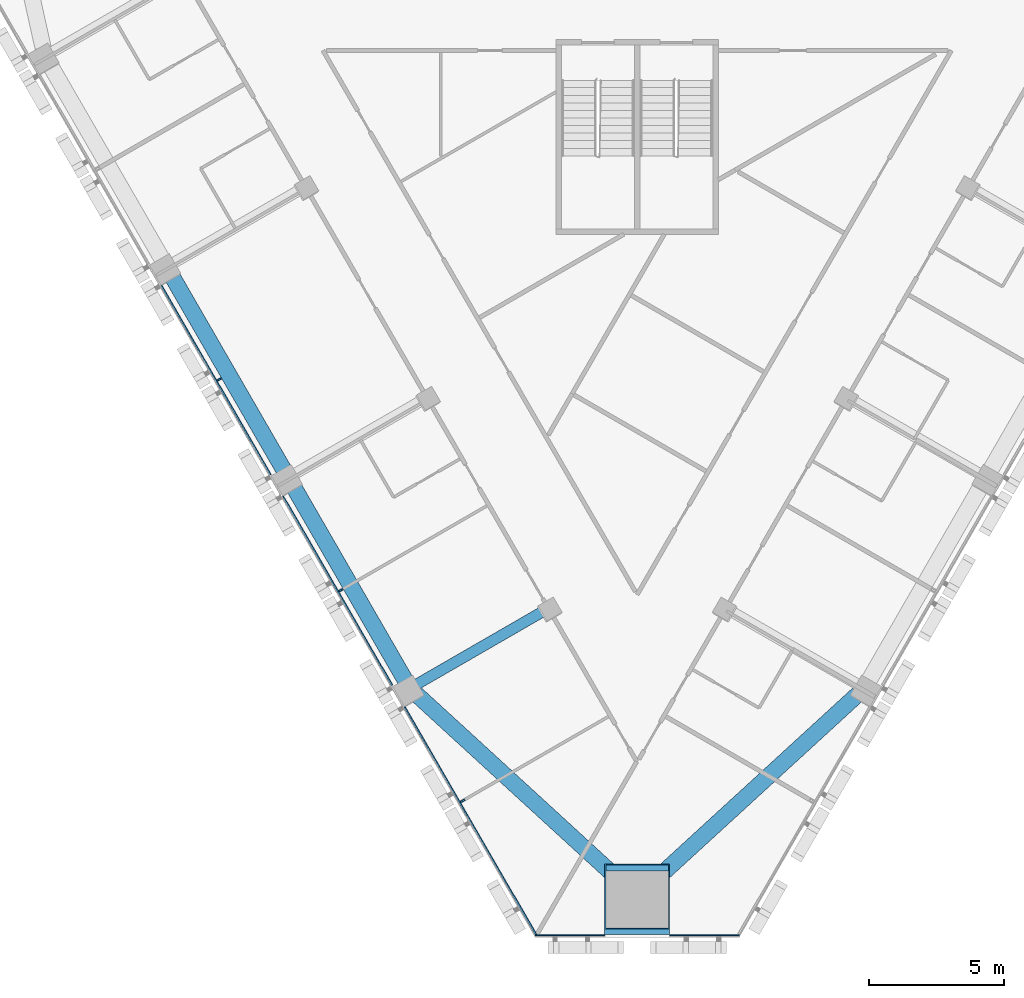
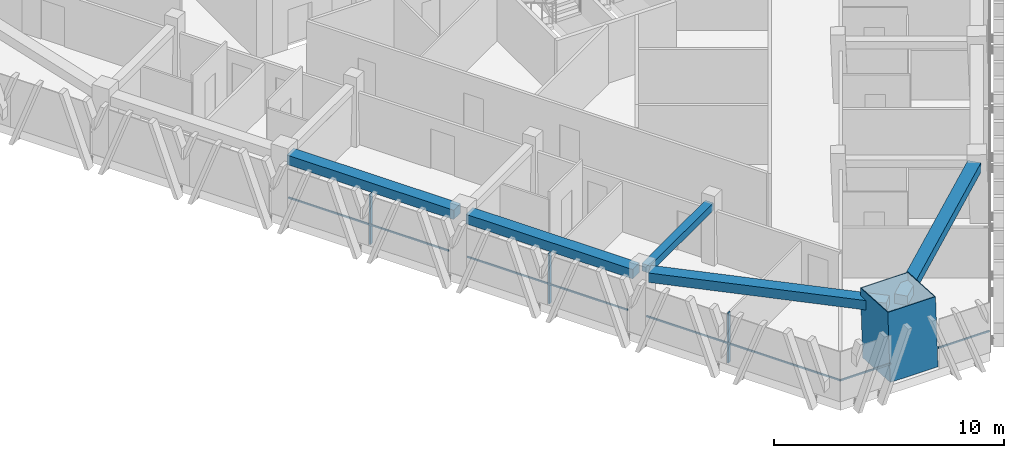
# One storey, part 2 of 15: 9 members, 5 beams, 2 elements without a shape of their own.
"""IFC4 building model written with IfcOpenShell, lengths in metres."""

from ifc_helpers import new_model, si_unit, direction, frame, origin, origin_2d, place, context, subcontext, project, spatial, rectangle, hollow_rectangle, extrude, material, layer, layer_set, material_profile, profile_set, type_object, element, aggregate, save


model = new_model("IFC4")

# Units and contexts
model_context = context("Model", 3, precision=1e-05, world=origin(), true_north=direction((0.0, 1.0)))
body_context = subcontext(model_context, "Body", "Model", "MODEL_VIEW")
ifc_project = project(units=[si_unit("LENGTHUNIT", "METRE"), si_unit("AREAUNIT", "SQUARE_METRE"), si_unit("VOLUMEUNIT", "CUBIC_METRE"), si_unit("PLANEANGLEUNIT", "RADIAN"), si_unit("MASSUNIT", "GRAM", prefix="KILO")], contexts=[model_context])

# Site, building, storey
site_placement = place(None, origin())
site = spatial("IfcSite", under=ifc_project, at=site_placement, CompositionType="ELEMENT")
building_placement = place(site_placement, origin())
building = spatial("IfcBuilding", under=site, at=building_placement, Name="Altiplano Prism Tower", CompositionType="ELEMENT")
storey_placement = place(building_placement, frame((0.0, 0.0, 142.199951171875)))
storey = spatial("IfcBuildingStorey", under=building, at=storey_placement, Name="L36", CompositionType="ELEMENT", Elevation=142.199951171875)

# Curtain wall, members
ifc_material_1 = material(Name="Aluminium and glass", Category="aluminium")
ifc_layer = layer(ifc_material_1, 0.280029296875)
ifc_layer_set = layer_set([ifc_layer], Name="Aluminium and glass")
curtain_wall_type = type_object("IfcCurtainWallType", Name="CW1 typical co-living unitised curtain wall", PredefinedType="NOTDEFINED", material=ifc_layer_set)
curtain_wall_1_placement = place(storey_placement, origin())
curtain_wall_1 = element("IfcCurtainWall", 1, at=curtain_wall_1_placement, inside=storey, type_object=curtain_wall_type, Name="CW1 curtain wall south-west face L36", PredefinedType="NOTDEFINED")
ifc_material_2 = material(Name="Aluminium", Category="aluminium")
ifc_material_profile_1 = material_profile(ifc_material_2, rectangle(XDim=0.179931640625, YDim=0.06494140625, at=origin_2d()), Name="CW1 mullion 65 x 180")
ifc_profile_set_1 = profile_set([ifc_material_profile_1], Name="Aluminium")
member_type_1 = type_object("IfcMemberType", Name="CW1 mullion 65 x 180", PredefinedType="MULLION", material=ifc_profile_set_1)
member_1_placement = place(storey_placement, frame((69.53759765625, 78.028564453125, 0.0), z_axis=(0.0, 0.0, 1.0), x_axis=(0.866025403278, 0.500000000877, 0.0)))
member_1 = element("IfcMember", 2, at=member_1_placement, type_object=member_type_1, Name="CW1 mullion", PredefinedType="MULLION", context=body_context, shape_type="SweptSolid", body=[
    extrude(rectangle(XDim=0.179931640625, YDim=0.06494140625, at=origin_2d()), origin(), (0.0, 0.0, 1.0), 2.650146484375),
])
member_2_placement = place(storey_placement, frame((74.03759765625, 70.234130859375, 0.0), z_axis=(0.0, 0.0, 1.0), x_axis=(0.866025403278, 0.500000000877, 0.0)))
member_2 = element("IfcMember", 3, at=member_2_placement, type_object=member_type_1, Name="CW1 mullion", PredefinedType="MULLION", context=body_context, shape_type="SweptSolid", body=[
    extrude(rectangle(XDim=0.179931640625, YDim=0.06494140625, at=origin_2d()), origin(), (0.0, 0.0, 1.0), 2.650146484375),
])
member_3_placement = place(storey_placement, frame((78.53759765625, 62.43994140625, 0.0), z_axis=(0.0, 0.0, 1.0), x_axis=(0.866025403278, 0.500000000877, 0.0)))
member_3 = element("IfcMember", 4, at=member_3_placement, type_object=member_type_1, Name="CW1 mullion", PredefinedType="MULLION", context=body_context, shape_type="SweptSolid", body=[
    extrude(rectangle(XDim=0.179931640625, YDim=0.06494140625, at=origin_2d()), origin(), (0.0, 0.0, 1.0), 2.650146484375),
])
ifc_material_profile_2 = material_profile(ifc_material_2, rectangle(XDim=0.06005859375, YDim=0.080078125, at=origin_2d()), Name="CW1 transom 80 x 60")
ifc_profile_set_2 = profile_set([ifc_material_profile_2], Name="Aluminium")
member_type_2 = type_object("IfcMemberType", Name="CW1 transom 80 x 60", PredefinedType="USERDEFINED", material=ifc_profile_set_2)
member_4_placement = place(storey_placement, frame((67.396484375, 81.4970703125, 1.10009765625), z_axis=(0.499994808408, -0.866028401131, 0.0), x_axis=(0.866028401131, 0.499994808408, 0.0)))
member_4 = element("IfcMember", 5, at=member_4_placement, type_object=member_type_2, Name="CW1 transom", ObjectType="TRANSOM", PredefinedType="USERDEFINED", context=body_context, shape_type="SweptSolid", body=[
    extrude(rectangle(XDim=0.06005859375, YDim=0.080078125, at=origin_2d()), origin(), (0.0, 0.0, 1.0), 8.06982421875),
])
member_5_placement = place(storey_placement, frame((71.896484375, 73.70263671875, 1.10009765625), z_axis=(0.500007908628, -0.866020837688, 0.0), x_axis=(0.866020837688, 0.500007908628, 0.0)))
member_5 = element("IfcMember", 6, at=member_5_placement, type_object=member_type_2, Name="CW1 transom", ObjectType="TRANSOM", PredefinedType="USERDEFINED", context=body_context, shape_type="SweptSolid", body=[
    extrude(rectangle(XDim=0.06005859375, YDim=0.080078125, at=origin_2d()), origin(), (0.0, 0.0, 1.0), 8.069580078125),
])
member_6_placement = place(storey_placement, frame((76.396484375, 65.908447265625, 1.10009765625), z_axis=(0.500019594979, -0.866014090322, 0.0), x_axis=(0.866014090322, 0.500019594979, 0.0)))
member_6 = element("IfcMember", 7, at=member_6_placement, type_object=member_type_2, Name="CW1 transom", ObjectType="TRANSOM", PredefinedType="USERDEFINED", context=body_context, shape_type="SweptSolid", body=[
    extrude(rectangle(XDim=0.06005859375, YDim=0.080078125, at=origin_2d()), origin(), (0.0, 0.0, 1.0), 9.791015625),
])
aggregate(curtain_wall_1, [member_1, member_4, member_2, member_5, member_3, member_6])

curtain_wall_2_placement = place(storey_placement, origin())
curtain_wall_2 = element("IfcCurtainWall", 8, at=curtain_wall_2_placement, inside=storey, type_object=curtain_wall_type, Name="CW1 curtain wall south chamfer L36", PredefinedType="NOTDEFINED")
member_7_placement = place(storey_placement, frame((81.2314453125, 57.464111328125, 1.10009765625), z_axis=(1.0, 0.0, 0.0), x_axis=(0.0, 1.0, 0.0)))
member_7 = element("IfcMember", 9, at=member_7_placement, type_object=member_type_2, Name="CW1 transom", ObjectType="TRANSOM", PredefinedType="USERDEFINED", context=body_context, shape_type="SweptSolid", body=[
    extrude(rectangle(XDim=0.06005859375, YDim=0.080078125, at=origin_2d()), origin(), (0.0, 0.0, 1.0), 2.568603515625),
])
member_8_placement = place(storey_placement, frame((86.199951171875, 57.464111328125, 1.10009765625), z_axis=(1.0, 0.0, 0.0), x_axis=(0.0, 1.0, 0.0)))
member_8 = element("IfcMember", 10, at=member_8_placement, type_object=member_type_2, Name="CW1 transom", ObjectType="TRANSOM", PredefinedType="USERDEFINED", context=body_context, shape_type="SweptSolid", body=[
    extrude(rectangle(XDim=0.06005859375, YDim=0.080078125, at=origin_2d()), origin(), (0.0, 0.0, 1.0), 2.568603515625),
])
aggregate(curtain_wall_2, [member_7, member_8])

# Beams
ifc_material_3 = material(Name="Concrete C60/75", Category="concrete")
ifc_material_profile_3 = material_profile(ifc_material_3, rectangle(XDim=0.60009765625, YDim=0.5, at=origin_2d()), Name="Edge beam 600x500")
ifc_profile_set_3 = profile_set([ifc_material_profile_3], Name="Concrete C60/75")
beam_type_1 = type_object("IfcBeamType", Name="Edge beam 600x500", PredefinedType="SPANDREL", material=ifc_profile_set_3)
for number, where, z_axis, x_axis, name in (
    (11, (67.745361328125, 81.929931640625, 2.900146484375), (0.500010445942, -0.866019372733, 0.0), (0.866019372733, 0.500010445942, 0.0), "Edge beam P12-P13 L37"),
    (12, (72.245361328125, 74.1357421875, 2.900146484375), (0.500010445942, -0.866019372733, 0.0), (0.866019372733, 0.500010445942, 0.0), "Edge beam P13-P14 L37"),
):
    element("IfcBeam", number, at=place(storey_placement, frame(where, z_axis=z_axis, x_axis=x_axis)), inside=storey, type_object=beam_type_1, Name=name, PredefinedType="SPANDREL", context=body_context, shape_type="SweptSolid", body=[
        extrude(rectangle(XDim=0.60009765625, YDim=0.5, at=origin_2d()), origin(), (0.0, 0.0, 1.0), 8.389892578125),
    ])
for number, where, z_axis, x_axis, name in (
    (13, (76.8330078125, 66.3857421875, 2.900146484375), (0.737389671108, -0.675467595776, 0.0), (0.675467595776, 0.737389671108, 0.0), "Edge beam P14-M1 L37"),
    (14, (85.331787109375, 59.20849609375, 2.900146484375), (0.737389671108, 0.675467595776, 0.0), (-0.675467595776, 0.737389671108, 0.0), "Edge beam M1-P21 L37"),
):
    element("IfcBeam", number, at=place(storey_placement, frame(where, z_axis=z_axis, x_axis=x_axis)), inside=storey, type_object=beam_type_1, Name=name, PredefinedType="SPANDREL", context=body_context, shape_type="SweptSolid", body=[
        extrude(rectangle(XDim=0.60009765625, YDim=0.5, at=origin_2d()), origin(), (0.0, 0.0, 1.0), 10.62548828125),
    ])

# Member
ifc_material_4 = material(Name="Steel S460", Category="steel")
ifc_material_profile_4 = material_profile(ifc_material_4, hollow_rectangle(XDim=2.39990234375, YDim=2.39990234375, WallThickness=0.0400390625, at=origin_2d()), Name="Mega column tube 2400")
ifc_profile_set_4 = profile_set([ifc_material_profile_4], Name="Steel S460")
member_type_3 = type_object("IfcMemberType", Name="Mega column tube 2400", PredefinedType="POST", material=ifc_profile_set_4)
member_9_placement = place(storey_placement, frame((85.0, 58.694091796875, 0.0), z_axis=(0.0, 0.058356907999, 0.998295783467), x_axis=(-1.0, 0.0, 0.0)))
element("IfcMember", 15, at=member_9_placement, inside=storey, type_object=member_type_3, Name="Mega column tube M1 L36", PredefinedType="POST", context=body_context, shape_type="SweptSolid", body=[
    extrude(hollow_rectangle(XDim=2.39990234375, YDim=2.39990234375, WallThickness=0.0400390625, at=origin_2d()), origin(), (0.0, 0.0, 1.0), 3.606201171875),
])

# Beam
ifc_material_profile_5 = material_profile(ifc_material_3, rectangle(XDim=0.39990234375, YDim=0.39990234375, at=origin_2d()), Name="Tie beam 400x400")
ifc_profile_set_5 = profile_set([ifc_material_profile_5], Name="Concrete C60/75")
beam_type_2 = type_object("IfcBeamType", Name="Tie beam 400x400", PredefinedType="BEAM", material=ifc_profile_set_5)
beam_placement = place(storey_placement, frame((81.65478515625, 69.528076171875, 2.949951171875), z_axis=(-0.866046155052, -0.499964056028, 0.0), x_axis=(0.499964056028, -0.866046155052, 0.0)))
element("IfcBeam", 16, at=beam_placement, inside=storey, type_object=beam_type_2, Name="Tie beam I14 L37", PredefinedType="BEAM", context=body_context, shape_type="SweptSolid", body=[
    extrude(rectangle(XDim=0.39990234375, YDim=0.39990234375, at=origin_2d()), origin(), (0.0, 0.0, 1.0), 5.5400390625),
])

save(model, "model.ifc")
